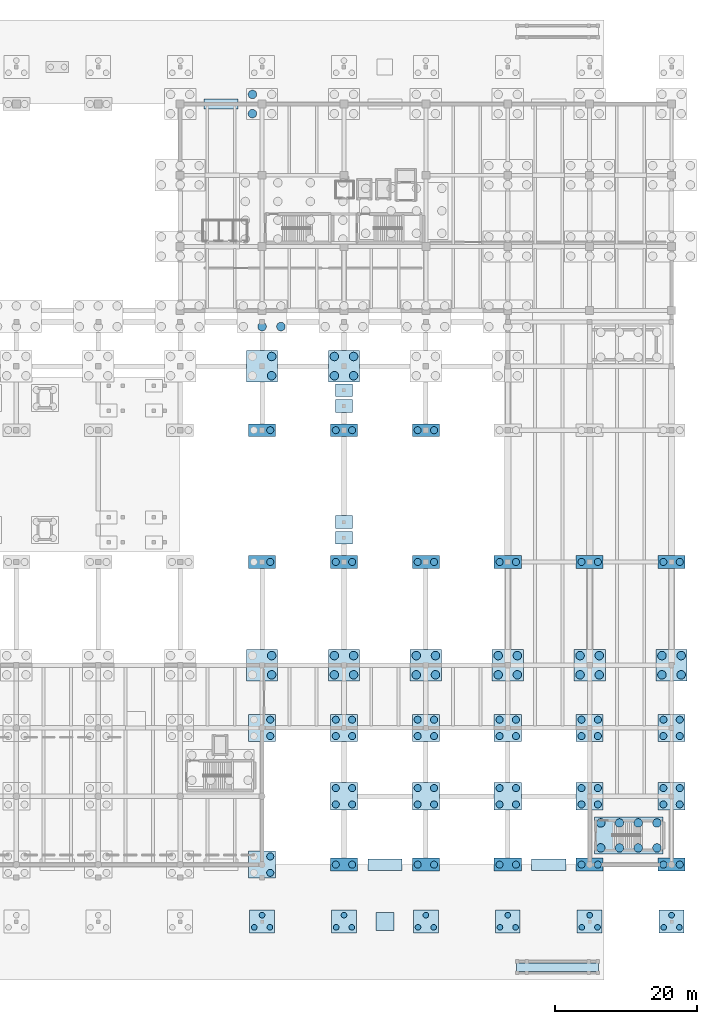
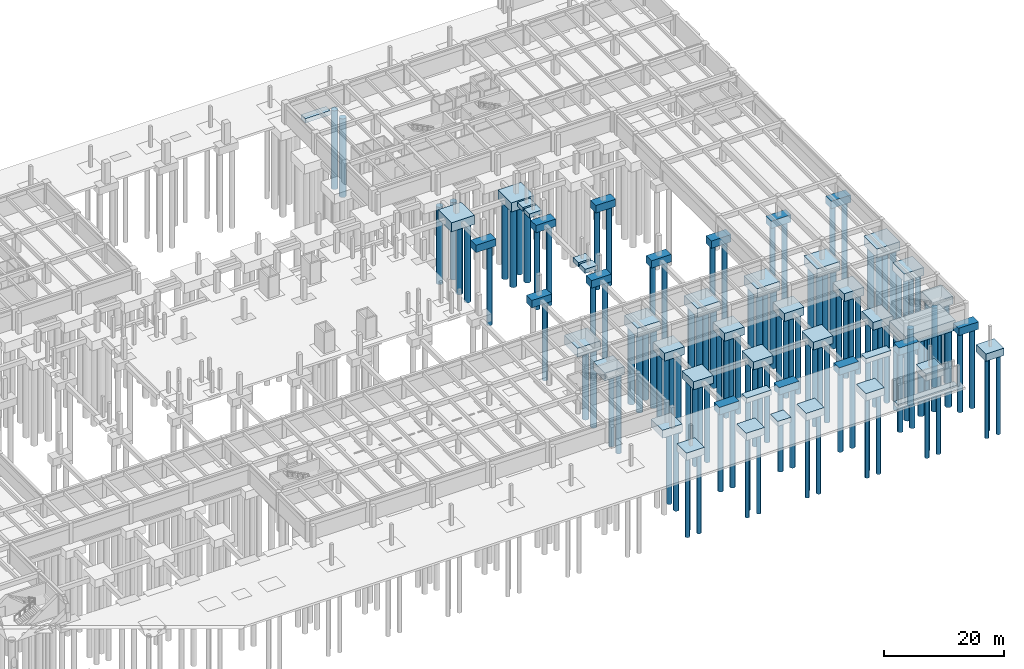
# One storey, part 5 of 28: 128 piles, 50 footings.
"""IFC4 building model written with IfcOpenShell, lengths in metres."""

import ifcopenshell
import ifcopenshell.guid

model = None  # the IFC model being written
_history = None  # IfcOwnerHistory: only IFC2X3 demands one
_inside = {}  # id of a spatial element -> (the spatial element, [elements in it])
_under = {}  # id of a project, library or spatial element -> (it, [spatial elements below it])
_declared = {}  # id of a project -> (the project, [libraries it declares])
_typed = {}  # id of a type object -> (the type object, [elements of that type])
_made_of = {}  # id of a material, layer set ... -> (it, [elements and type objects made of it])


def new_model(schema):
    """Start an empty IFC model of exactly this schema.

    Asked for "IFC4X3", IfcOpenShell would pick the latest addendum, in which some entities
    have other attributes; the version numbers below select the first issue.
    IFC2X3 requires an IfcOwnerHistory on every rooted entity: one is made here for all.
    """
    global model, _history
    if schema == "IFC4X3":
        model = ifcopenshell.file(schema_version=(4, 3, 0, 0))
    else:
        model = ifcopenshell.file(schema=schema)
    _inside.clear()
    _under.clear()
    _declared.clear()
    _typed.clear()
    _made_of.clear()
    _history = None
    if model.schema == "IFC2X3":
        org = make("IfcOrganization", Name="unknown")
        user = make(
            "IfcPersonAndOrganization",
            ThePerson=make("IfcPerson", FamilyName="unknown"),
            TheOrganization=org,
        )
        app = make(
            "IfcApplication",
            ApplicationDeveloper=org,
            Version="unknown",
            ApplicationFullName="unknown",
            ApplicationIdentifier="unknown",
        )
        _history = make(
            "IfcOwnerHistory",
            OwningUser=user,
            OwningApplication=app,
            ChangeAction="ADDED",
            CreationDate=0,
        )
    return model


def make(cls, **values):
    """One entity of the class cls with the attributes given. An attribute that is None is left unset."""
    return model.create_entity(
        cls, **{name: value for name, value in values.items() if value is not None}
    )


def rooted(cls, **values):
    """An entity with a GlobalId (a new one), such as an element, a storey or a relation."""
    return make(cls, GlobalId=ifcopenshell.guid.new(), OwnerHistory=_history, **values)


def si_unit(unit_type, name, prefix=None):
    """IfcSIUnit, for example si_unit("LENGTHUNIT", "METRE", prefix="MILLI")."""
    return make("IfcSIUnit", UnitType=unit_type, Prefix=prefix, Name=name)


def assignment(units):
    """IfcUnitAssignment: the units of a project."""
    return None if units is None else make("IfcUnitAssignment", Units=units)


def point(xyz):
    """IfcCartesianPoint."""
    return None if xyz is None else make("IfcCartesianPoint", Coordinates=xyz)


def direction(xyz):
    """IfcDirection."""
    return None if xyz is None else make("IfcDirection", DirectionRatios=xyz)


def frame(location, z_axis=None, x_axis=None):
    """IfcAxis2Placement3D, a coordinate frame: its origin and axes. An axis left out is left unset."""
    return make(
        "IfcAxis2Placement3D",
        Location=point(location),
        Axis=direction(z_axis),
        RefDirection=direction(x_axis),
    )


def frame_2d(location, x_axis=None):
    """IfcAxis2Placement2D, a coordinate frame in the plane: its origin and x axis."""
    return make(
        "IfcAxis2Placement2D", Location=point(location), RefDirection=direction(x_axis)
    )


def origin():
    """The frame at (0, 0, 0) with its axes left unset."""
    return frame((0.0, 0.0, 0.0))


def origin_2d():
    """The frame at (0, 0) in the plane with its x axis left unset."""
    return frame_2d((0.0, 0.0))


def place(relative_to, where):
    """IfcLocalPlacement: puts the frame where relative to a parent placement (None: the world)."""
    return make(
        "IfcLocalPlacement", PlacementRelTo=relative_to, RelativePlacement=where
    )


def context(
    kind, dimensions, precision=None, world=None, true_north=None, identifier=None
):
    """IfcGeometricRepresentationContext, for example the 3D "Model" context."""
    return make(
        "IfcGeometricRepresentationContext",
        ContextIdentifier=identifier,
        ContextType=kind,
        CoordinateSpaceDimension=dimensions,
        Precision=precision,
        WorldCoordinateSystem=world,
        TrueNorth=true_north,
    )


def subcontext(parent, identifier, kind, view, scale=None):
    """IfcGeometricRepresentationSubContext, for example "Body" below "Model"."""
    return make(
        "IfcGeometricRepresentationSubContext",
        ContextIdentifier=identifier,
        ContextType=kind,
        ParentContext=parent,
        TargetScale=scale,
        TargetView=view,
    )


def project(units=None, contexts=None):
    """IfcProject with its units and contexts."""
    return rooted(
        "IfcProject",
        Name="project",
        RepresentationContexts=contexts,
        UnitsInContext=assignment(units),
    )


def spatial(cls, under=None, at=None, **own):
    """A site, building, storey or space (cls), placed at a placement, below another one or the project."""
    s = rooted(cls, ObjectPlacement=at, **own)
    if under is not None:
        _under.setdefault(under.id(), (under, []))[1].append(s)
    return s


def profile(cls, at=None, kind="AREA", **sizes):
    """A parametric profile (cls). Its sizes go by their IFC names, for example OverallWidth=200.0."""
    return make(cls, ProfileType=kind, Position=at, **sizes)


def rectangle(**sizes):
    """IfcRectangleProfileDef."""
    return profile("IfcRectangleProfileDef", **sizes)


def circle(**sizes):
    """IfcCircleProfileDef."""
    return profile("IfcCircleProfileDef", **sizes)


def extrude(swept, where, along, depth):
    """IfcExtrudedAreaSolid: the profile swept, set in the frame where, extruded along a direction by depth."""
    return make(
        "IfcExtrudedAreaSolid",
        SweptArea=swept,
        Position=where,
        ExtrudedDirection=direction(along),
        Depth=depth,
    )


def shape(context_of_items, identifier, shape_type, items):
    """IfcShapeRepresentation: the items that make up one representation, for example the "Body"."""
    return make(
        "IfcShapeRepresentation",
        ContextOfItems=context_of_items,
        RepresentationIdentifier=identifier,
        RepresentationType=shape_type,
        Items=items,
    )


def material(Name=None, Category=None):
    """IfcMaterial."""
    return make("IfcMaterial", Name=Name, Category=Category)


def material_profile(
    of_material, cross_section, Name=None, Category=None, Priority=None
):
    """IfcMaterialProfile: a cross section and its material."""
    return make(
        "IfcMaterialProfile",
        Name=Name,
        Material=of_material,
        Profile=cross_section,
        Priority=Priority,
        Category=Category,
    )


def profile_set(profiles, Name=None, composite=None):
    """IfcMaterialProfileSet."""
    return make(
        "IfcMaterialProfileSet",
        Name=Name,
        MaterialProfiles=profiles,
        CompositeProfile=composite,
    )


def made_of(thing, what):
    """Note that an element or type object is made of a material, layer set ...; save() writes the relation."""
    if what is not None:
        _made_of.setdefault(what.id(), (what, []))[1].append(thing)
    return thing


def type_object(cls, material=None, **own):
    """A type object (cls), such as IfcWallType, which elements share."""
    return made_of(rooted(cls, **own), material)


def element(
    cls,
    number,
    at=None,
    inside=None,
    cuts=None,
    type_object=None,
    material=None,
    context=None,
    identifier="Body",
    shape_type=None,
    held_by="IfcProductDefinitionShape",
    body=None,
    shapes=None,
    **own,
):
    """One element of the class cls, such as IfcWall. Its Tag is "e" and its number.

    at: its placement. inside: the storey or other place that contains it. cuts: it is an
    opening in that element (IfcRelVoidsElement). A single representation is given by context,
    identifier, shape_type and body (its items); several are given by shapes. held_by: the class
    of the entity that holds the representations. save() writes the other relations.
    """
    e = rooted(cls, Tag="e%d" % number, ObjectPlacement=at, **own)
    if body is not None:
        shapes = [shape(context, identifier, shape_type, body)]
    if shapes is not None:
        e.Representation = make(held_by, Representations=shapes)
    if inside is not None:
        _inside.setdefault(inside.id(), (inside, []))[1].append(e)
    if cuts is not None:
        rooted(
            "IfcRelVoidsElement", RelatingBuildingElement=cuts, RelatedOpeningElement=e
        )
    if type_object is not None:
        _typed.setdefault(type_object.id(), (type_object, []))[1].append(e)
    return made_of(e, material)


def aggregate(whole, parts):
    """IfcRelAggregates: a whole, such as a stair, and the parts it consists of."""
    return rooted("IfcRelAggregates", RelatingObject=whole, RelatedObjects=parts)


def save(model, path):
    """Write the relations noted so far, then the file.

    IfcRelAggregates (storeys below a building ...), IfcRelContainedInSpatialStructure (elements
    in a storey), IfcRelDefinesByType, IfcRelAssociatesMaterial and IfcRelDeclares: one each for
    every whole, place, type object, material and project.
    """
    for whole, parts in _under.values():
        aggregate(whole, parts)
    for where, things in _inside.values():
        rooted(
            "IfcRelContainedInSpatialStructure",
            RelatedElements=things,
            RelatingStructure=where,
        )
    for kind, things in _typed.values():
        rooted("IfcRelDefinesByType", RelatedObjects=things, RelatingType=kind)
    for what, things in _made_of.values():
        rooted("IfcRelAssociatesMaterial", RelatedObjects=things, RelatingMaterial=what)
    for by, libraries in _declared.values():
        rooted("IfcRelDeclares", RelatingContext=by, RelatedDefinitions=libraries)
    model.write(path)


model = new_model("IFC4")

# Units and contexts
model_context = context("Model", 3, precision=1e-05, world=origin(), true_north=direction((0.0, 1.0)))
body_context = subcontext(model_context, "Body", "Model", "MODEL_VIEW")
ifc_project = project(units=[si_unit("LENGTHUNIT", "METRE"), si_unit("AREAUNIT", "SQUARE_METRE"), si_unit("VOLUMEUNIT", "CUBIC_METRE"), si_unit("PLANEANGLEUNIT", "RADIAN"), si_unit("MASSUNIT", "GRAM", prefix="KILO")], contexts=[model_context])

# Site, building, storey
site_placement = place(None, origin())
site = spatial("IfcSite", under=ifc_project, at=site_placement, CompositionType="ELEMENT")
building_placement = place(site_placement, origin())
building = spatial("IfcBuilding", under=site, at=building_placement, Name="Ologun Quay Terminus", CompositionType="ELEMENT")
storey_placement = place(building_placement, frame((0.0, 0.0, -8.39990234375)))
storey = spatial("IfcBuildingStorey", under=building, at=storey_placement, Name="B02", CompositionType="ELEMENT", Elevation=-8.39990234375)

# Footings
ifc_material_1 = material(Name="Concrete C35/45", Category="concrete")
footing_type_1 = type_object("IfcFootingType", Name="Basement Retaining Strip Footing 1600x1000", PredefinedType="STRIP_FOOTING", material=ifc_material_1)
for number, where, z_axis, x_axis, name in (
    (1, (143.75, 8.0, -1.0), (0.0, 0.0, 1.0), (1.0, 0.0, 0.0), "SF3 Strip Footing Bay 13"),
    (2, (166.75, 8.0, -1.0), (0.0, 0.0, 1.0), (1.0, 0.0, 0.0), "SF3 Strip Footing Bay 15"),
):
    element("IfcFooting", number, at=place(storey_placement, frame(where, z_axis=z_axis, x_axis=x_axis)), inside=storey, type_object=footing_type_1, Name=name, PredefinedType="STRIP_FOOTING", context=body_context, shape_type="SweptSolid", body=[
        extrude(rectangle(XDim=4.800048828125, YDim=1.60009765625, at=origin_2d()), origin(), (0.0, 0.0, 1.0), 1.0),
    ])

# Piles
ifc_material_2 = material(Name="Concrete C35/45", Category="concrete")
ifc_material_profile_1 = material_profile(ifc_material_2, circle(Radius=0.5, at=origin_2d()), Name="PILE D1000")
ifc_profile_set_1 = profile_set([ifc_material_profile_1], Name="Concrete C35/45")
pile_type_1 = type_object("IfcPileType", Name="Bored Concrete Pile D1000", PredefinedType="BORED", material=ifc_profile_set_1)
for number, where, z_axis, x_axis, name in (
    (3, (127.64990234375, 6.85009765625, -1.5), (0.0, 0.0, -1.0), (1.0, 0.0, 0.0), "P2 Pile FND-12-B-02"),
    (4, (127.64990234375, 9.14990234375, -1.5), (0.0, 0.0, -1.0), (1.0, 0.0, 0.0), "P2 Pile FND-12-B-04"),
    (5, (127.64990234375, 26.050048828125, -1.5), (0.0, 0.0, -1.0), (1.0, 0.0, 0.0), "P2 Pile FND-12-D-02"),
    (6, (127.64990234375, 28.35009765625, -1.5), (0.0, 0.0, -1.0), (1.0, 0.0, 0.0), "P2 Pile FND-12-D-04"),
):
    element("IfcPile", number, at=place(storey_placement, frame(where, z_axis=z_axis, x_axis=x_axis)), inside=storey, type_object=pile_type_1, Name=name, PredefinedType="BORED", context=body_context, shape_type="SweptSolid", body=[
        extrude(circle(Radius=0.5, at=origin_2d()), origin(), (0.0, 0.0, 1.0), 16.10009765625),
    ])
for number, where, z_axis, x_axis, name in (
    (7, (127.64990234375, 50.5, -1.400146484375), (0.0, 0.0, -1.0), (1.0, 0.0, 0.0), "P2 Pile FND-SUB-12-Y50-02"),
    (8, (127.64990234375, 69.0, -1.400146484375), (0.0, 0.0, -1.0), (1.0, 0.0, 0.0), "P2 Pile FND-SUB-12-Y69-02"),
    (9, (136.85009765625, 8.0, -1.400146484375), (0.0, 0.0, -1.0), (1.0, 0.0, 0.0), "P2 Pile FND-13-B-01"),
    (10, (139.14990234375, 8.0, -1.400146484375), (0.0, 0.0, -1.0), (1.0, 0.0, 0.0), "P2 Pile FND-13-B-02"),
):
    element("IfcPile", number, at=place(storey_placement, frame(where, z_axis=z_axis, x_axis=x_axis)), inside=storey, type_object=pile_type_1, Name=name, PredefinedType="BORED", context=body_context, shape_type="SweptSolid", body=[
        extrude(circle(Radius=0.5, at=origin_2d()), origin(), (0.0, 0.0, 1.0), 16.199951171875),
    ])
for number, where, z_axis, x_axis, name in (
    (11, (136.85009765625, 16.449951171875, -1.5), (0.0, 0.0, -1.0), (1.0, 0.0, 0.0), "P2 Pile FND-13-C-01"),
    (12, (139.14990234375, 16.449951171875, -1.5), (0.0, 0.0, -1.0), (1.0, 0.0, 0.0), "P2 Pile FND-13-C-02"),
    (13, (136.85009765625, 18.75, -1.5), (0.0, 0.0, -1.0), (1.0, 0.0, 0.0), "P2 Pile FND-13-C-03"),
    (14, (139.14990234375, 18.75, -1.5), (0.0, 0.0, -1.0), (1.0, 0.0, 0.0), "P2 Pile FND-13-C-04"),
    (15, (136.85009765625, 26.050048828125, -1.5), (0.0, 0.0, -1.0), (1.0, 0.0, 0.0), "P2 Pile FND-13-D-01"),
    (16, (139.14990234375, 26.050048828125, -1.5), (0.0, 0.0, -1.0), (1.0, 0.0, 0.0), "P2 Pile FND-13-D-02"),
    (17, (136.85009765625, 28.35009765625, -1.5), (0.0, 0.0, -1.0), (1.0, 0.0, 0.0), "P2 Pile FND-13-D-03"),
    (18, (139.14990234375, 28.35009765625, -1.5), (0.0, 0.0, -1.0), (1.0, 0.0, 0.0), "P2 Pile FND-13-D-04"),
):
    element("IfcPile", number, at=place(storey_placement, frame(where, z_axis=z_axis, x_axis=x_axis)), inside=storey, type_object=pile_type_1, Name=name, PredefinedType="BORED", context=body_context, shape_type="SweptSolid", body=[
        extrude(circle(Radius=0.5, at=origin_2d()), origin(), (0.0, 0.0, 1.0), 16.10009765625),
    ])
for number, where, z_axis, x_axis, name in (
    (19, (136.85009765625, 50.5, -1.400146484375), (0.0, 0.0, -1.0), (1.0, 0.0, 0.0), "P2 Pile FND-SUB-13-Y50-01"),
    (20, (139.14990234375, 50.5, -1.400146484375), (0.0, 0.0, -1.0), (1.0, 0.0, 0.0), "P2 Pile FND-SUB-13-Y50-02"),
    (21, (136.85009765625, 69.0, -1.400146484375), (0.0, 0.0, -1.0), (1.0, 0.0, 0.0), "P2 Pile FND-SUB-13-Y69-01"),
    (22, (139.14990234375, 69.0, -1.400146484375), (0.0, 0.0, -1.0), (1.0, 0.0, 0.0), "P2 Pile FND-SUB-13-Y69-02"),
    (23, (148.35009765625, 8.0, -1.400146484375), (0.0, 0.0, -1.0), (1.0, 0.0, 0.0), "P2 Pile FND-14-B-01"),
    (24, (150.64990234375, 8.0, -1.400146484375), (0.0, 0.0, -1.0), (1.0, 0.0, 0.0), "P2 Pile FND-14-B-02"),
):
    element("IfcPile", number, at=place(storey_placement, frame(where, z_axis=z_axis, x_axis=x_axis)), inside=storey, type_object=pile_type_1, Name=name, PredefinedType="BORED", context=body_context, shape_type="SweptSolid", body=[
        extrude(circle(Radius=0.5, at=origin_2d()), origin(), (0.0, 0.0, 1.0), 16.199951171875),
    ])
for number, where, z_axis, x_axis, name in (
    (25, (148.35009765625, 16.449951171875, -1.5), (0.0, 0.0, -1.0), (1.0, 0.0, 0.0), "P2 Pile FND-14-C-01"),
    (26, (150.64990234375, 16.449951171875, -1.5), (0.0, 0.0, -1.0), (1.0, 0.0, 0.0), "P2 Pile FND-14-C-02"),
    (27, (148.35009765625, 18.75, -1.5), (0.0, 0.0, -1.0), (1.0, 0.0, 0.0), "P2 Pile FND-14-C-03"),
    (28, (150.64990234375, 18.75, -1.5), (0.0, 0.0, -1.0), (1.0, 0.0, 0.0), "P2 Pile FND-14-C-04"),
    (29, (148.35009765625, 26.050048828125, -1.5), (0.0, 0.0, -1.0), (1.0, 0.0, 0.0), "P2 Pile FND-14-D-01"),
    (30, (150.64990234375, 26.050048828125, -1.5), (0.0, 0.0, -1.0), (1.0, 0.0, 0.0), "P2 Pile FND-14-D-02"),
    (31, (148.35009765625, 28.35009765625, -1.5), (0.0, 0.0, -1.0), (1.0, 0.0, 0.0), "P2 Pile FND-14-D-03"),
    (32, (150.64990234375, 28.35009765625, -1.5), (0.0, 0.0, -1.0), (1.0, 0.0, 0.0), "P2 Pile FND-14-D-04"),
):
    element("IfcPile", number, at=place(storey_placement, frame(where, z_axis=z_axis, x_axis=x_axis)), inside=storey, type_object=pile_type_1, Name=name, PredefinedType="BORED", context=body_context, shape_type="SweptSolid", body=[
        extrude(circle(Radius=0.5, at=origin_2d()), origin(), (0.0, 0.0, 1.0), 16.10009765625),
    ])
for number, where, z_axis, x_axis, name in (
    (33, (148.35009765625, 50.5, -1.400146484375), (0.0, 0.0, -1.0), (1.0, 0.0, 0.0), "P2 Pile FND-SUB-14-Y50-01"),
    (34, (150.64990234375, 50.5, -1.400146484375), (0.0, 0.0, -1.0), (1.0, 0.0, 0.0), "P2 Pile FND-SUB-14-Y50-02"),
    (35, (148.35009765625, 69.0, -1.400146484375), (0.0, 0.0, -1.0), (1.0, 0.0, 0.0), "P2 Pile FND-SUB-14-Y69-01"),
    (36, (150.64990234375, 69.0, -1.400146484375), (0.0, 0.0, -1.0), (1.0, 0.0, 0.0), "P2 Pile FND-SUB-14-Y69-02"),
    (37, (159.85009765625, 8.0, -1.400146484375), (0.0, 0.0, -1.0), (1.0, 0.0, 0.0), "P2 Pile FND-15-B-01"),
    (38, (162.14990234375, 8.0, -1.400146484375), (0.0, 0.0, -1.0), (1.0, 0.0, 0.0), "P2 Pile FND-15-B-02"),
):
    element("IfcPile", number, at=place(storey_placement, frame(where, z_axis=z_axis, x_axis=x_axis)), inside=storey, type_object=pile_type_1, Name=name, PredefinedType="BORED", context=body_context, shape_type="SweptSolid", body=[
        extrude(circle(Radius=0.5, at=origin_2d()), origin(), (0.0, 0.0, 1.0), 16.199951171875),
    ])
for number, where, z_axis, x_axis, name in (
    (39, (159.85009765625, 16.449951171875, -1.5), (0.0, 0.0, -1.0), (1.0, 0.0, 0.0), "P2 Pile FND-15-C-01"),
    (40, (162.14990234375, 16.449951171875, -1.5), (0.0, 0.0, -1.0), (1.0, 0.0, 0.0), "P2 Pile FND-15-C-02"),
    (41, (159.85009765625, 18.75, -1.5), (0.0, 0.0, -1.0), (1.0, 0.0, 0.0), "P2 Pile FND-15-C-03"),
    (42, (162.14990234375, 18.75, -1.5), (0.0, 0.0, -1.0), (1.0, 0.0, 0.0), "P2 Pile FND-15-C-04"),
    (43, (159.85009765625, 26.050048828125, -1.5), (0.0, 0.0, -1.0), (1.0, 0.0, 0.0), "P2 Pile FND-15-D-01"),
    (44, (162.14990234375, 26.050048828125, -1.5), (0.0, 0.0, -1.0), (1.0, 0.0, 0.0), "P2 Pile FND-15-D-02"),
    (45, (159.85009765625, 28.35009765625, -1.5), (0.0, 0.0, -1.0), (1.0, 0.0, 0.0), "P2 Pile FND-15-D-03"),
    (46, (162.14990234375, 28.35009765625, -1.5), (0.0, 0.0, -1.0), (1.0, 0.0, 0.0), "P2 Pile FND-15-D-04"),
):
    element("IfcPile", number, at=place(storey_placement, frame(where, z_axis=z_axis, x_axis=x_axis)), inside=storey, type_object=pile_type_1, Name=name, PredefinedType="BORED", context=body_context, shape_type="SweptSolid", body=[
        extrude(circle(Radius=0.5, at=origin_2d()), origin(), (0.0, 0.0, 1.0), 16.10009765625),
    ])
for number, where, z_axis, x_axis, name in (
    (47, (159.85009765625, 50.5, -1.400146484375), (0.0, 0.0, -1.0), (1.0, 0.0, 0.0), "P2 Pile FND-SUB-15-Y50-01"),
    (48, (162.14990234375, 50.5, -1.400146484375), (0.0, 0.0, -1.0), (1.0, 0.0, 0.0), "P2 Pile FND-SUB-15-Y50-02"),
    (49, (171.35009765625, 8.0, -1.400146484375), (0.0, 0.0, -1.0), (1.0, 0.0, 0.0), "P2 Pile FND-16-B-01"),
    (50, (173.64990234375, 8.0, -1.400146484375), (0.0, 0.0, -1.0), (1.0, 0.0, 0.0), "P2 Pile FND-16-B-02"),
):
    element("IfcPile", number, at=place(storey_placement, frame(where, z_axis=z_axis, x_axis=x_axis)), inside=storey, type_object=pile_type_1, Name=name, PredefinedType="BORED", context=body_context, shape_type="SweptSolid", body=[
        extrude(circle(Radius=0.5, at=origin_2d()), origin(), (0.0, 0.0, 1.0), 16.199951171875),
    ])
for number, where, z_axis, x_axis, name in (
    (51, (171.35009765625, 16.449951171875, -1.5), (0.0, 0.0, -1.0), (1.0, 0.0, 0.0), "P2 Pile FND-16-C-01"),
    (52, (173.64990234375, 16.449951171875, -1.5), (0.0, 0.0, -1.0), (1.0, 0.0, 0.0), "P2 Pile FND-16-C-02"),
    (53, (171.35009765625, 18.75, -1.5), (0.0, 0.0, -1.0), (1.0, 0.0, 0.0), "P2 Pile FND-16-C-03"),
    (54, (173.64990234375, 18.75, -1.5), (0.0, 0.0, -1.0), (1.0, 0.0, 0.0), "P2 Pile FND-16-C-04"),
    (55, (171.35009765625, 26.050048828125, -1.5), (0.0, 0.0, -1.0), (1.0, 0.0, 0.0), "P2 Pile FND-16-D-01"),
    (56, (173.64990234375, 26.050048828125, -1.5), (0.0, 0.0, -1.0), (1.0, 0.0, 0.0), "P2 Pile FND-16-D-02"),
    (57, (171.35009765625, 28.35009765625, -1.5), (0.0, 0.0, -1.0), (1.0, 0.0, 0.0), "P2 Pile FND-16-D-03"),
    (58, (173.64990234375, 28.35009765625, -1.5), (0.0, 0.0, -1.0), (1.0, 0.0, 0.0), "P2 Pile FND-16-D-04"),
):
    element("IfcPile", number, at=place(storey_placement, frame(where, z_axis=z_axis, x_axis=x_axis)), inside=storey, type_object=pile_type_1, Name=name, PredefinedType="BORED", context=body_context, shape_type="SweptSolid", body=[
        extrude(circle(Radius=0.5, at=origin_2d()), origin(), (0.0, 0.0, 1.0), 16.10009765625),
    ])
for number, where, z_axis, x_axis, name in (
    (59, (171.35009765625, 50.5, -1.400146484375), (0.0, 0.0, -1.0), (1.0, 0.0, 0.0), "P2 Pile FND-SUB-16-Y50-01"),
    (60, (173.64990234375, 50.5, -1.400146484375), (0.0, 0.0, -1.0), (1.0, 0.0, 0.0), "P2 Pile FND-SUB-16-Y50-02"),
    (61, (182.85009765625, 8.0, -1.400146484375), (0.0, 0.0, -1.0), (1.0, 0.0, 0.0), "P2 Pile FND-17-B-01"),
    (62, (185.14990234375, 8.0, -1.400146484375), (0.0, 0.0, -1.0), (1.0, 0.0, 0.0), "P2 Pile FND-17-B-02"),
):
    element("IfcPile", number, at=place(storey_placement, frame(where, z_axis=z_axis, x_axis=x_axis)), inside=storey, type_object=pile_type_1, Name=name, PredefinedType="BORED", context=body_context, shape_type="SweptSolid", body=[
        extrude(circle(Radius=0.5, at=origin_2d()), origin(), (0.0, 0.0, 1.0), 16.199951171875),
    ])
for number, where, z_axis, x_axis, name in (
    (63, (182.85009765625, 16.449951171875, -1.5), (0.0, 0.0, -1.0), (1.0, 0.0, 0.0), "P2 Pile FND-17-C-01"),
    (64, (185.14990234375, 16.449951171875, -1.5), (0.0, 0.0, -1.0), (1.0, 0.0, 0.0), "P2 Pile FND-17-C-02"),
    (65, (182.85009765625, 18.75, -1.5), (0.0, 0.0, -1.0), (1.0, 0.0, 0.0), "P2 Pile FND-17-C-03"),
    (66, (185.14990234375, 18.75, -1.5), (0.0, 0.0, -1.0), (1.0, 0.0, 0.0), "P2 Pile FND-17-C-04"),
    (67, (182.85009765625, 26.050048828125, -1.5), (0.0, 0.0, -1.0), (1.0, 0.0, 0.0), "P2 Pile FND-17-D-01"),
    (68, (185.14990234375, 26.050048828125, -1.5), (0.0, 0.0, -1.0), (1.0, 0.0, 0.0), "P2 Pile FND-17-D-02"),
    (69, (182.85009765625, 28.35009765625, -1.5), (0.0, 0.0, -1.0), (1.0, 0.0, 0.0), "P2 Pile FND-17-D-03"),
    (70, (185.14990234375, 28.35009765625, -1.5), (0.0, 0.0, -1.0), (1.0, 0.0, 0.0), "P2 Pile FND-17-D-04"),
):
    element("IfcPile", number, at=place(storey_placement, frame(where, z_axis=z_axis, x_axis=x_axis)), inside=storey, type_object=pile_type_1, Name=name, PredefinedType="BORED", context=body_context, shape_type="SweptSolid", body=[
        extrude(circle(Radius=0.5, at=origin_2d()), origin(), (0.0, 0.0, 1.0), 16.10009765625),
    ])
for number, where, z_axis, x_axis, name in (
    (71, (182.85009765625, 50.5, -1.400146484375), (0.0, 0.0, -1.0), (1.0, 0.0, 0.0), "P2 Pile FND-SUB-17-Y50-01"),
    (72, (185.14990234375, 50.5, -1.400146484375), (0.0, 0.0, -1.0), (1.0, 0.0, 0.0), "P2 Pile FND-SUB-17-Y50-02"),
):
    element("IfcPile", number, at=place(storey_placement, frame(where, z_axis=z_axis, x_axis=x_axis)), inside=storey, type_object=pile_type_1, Name=name, PredefinedType="BORED", context=body_context, shape_type="SweptSolid", body=[
        extrude(circle(Radius=0.5, at=origin_2d()), origin(), (0.0, 0.0, 1.0), 16.199951171875),
    ])
ifc_material_3 = material(Name="Concrete C35/45", Category="concrete")
ifc_material_profile_2 = material_profile(ifc_material_3, circle(Radius=0.60009765625, at=origin_2d()), Name="PILE D1200")
ifc_profile_set_2 = profile_set([ifc_material_profile_2], Name="Concrete C35/45")
pile_type_2 = type_object("IfcPileType", Name="Bored Concrete Pile D1200", PredefinedType="BORED", material=ifc_profile_set_2)
for number, where, z_axis, x_axis, name in (
    (73, (174.050048828125, 10.35009765625, -2.0), (0.0, 0.0, -1.0), (1.0, 0.0, 0.0), "P1 Pile FND-SCAP-2-01"),
    (74, (176.683349609375, 10.35009765625, -2.0), (0.0, 0.0, -1.0), (1.0, 0.0, 0.0), "P1 Pile FND-SCAP-2-02"),
    (75, (179.316650390625, 10.35009765625, -2.0), (0.0, 0.0, -1.0), (1.0, 0.0, 0.0), "P1 Pile FND-SCAP-2-03"),
    (76, (181.949951171875, 10.35009765625, -2.0), (0.0, 0.0, -1.0), (1.0, 0.0, 0.0), "P1 Pile FND-SCAP-2-04"),
    (77, (174.050048828125, 13.85009765625, -2.0), (0.0, 0.0, -1.0), (1.0, 0.0, 0.0), "P1 Pile FND-SCAP-2-05"),
    (78, (176.683349609375, 13.85009765625, -2.0), (0.0, 0.0, -1.0), (1.0, 0.0, 0.0), "P1 Pile FND-SCAP-2-06"),
    (79, (179.316650390625, 13.85009765625, -2.0), (0.0, 0.0, -1.0), (1.0, 0.0, 0.0), "P1 Pile FND-SCAP-2-07"),
    (80, (181.949951171875, 13.85009765625, -2.0), (0.0, 0.0, -1.0), (1.0, 0.0, 0.0), "P1 Pile FND-SCAP-2-08"),
):
    element("IfcPile", number, at=place(storey_placement, frame(where, z_axis=z_axis, x_axis=x_axis)), inside=storey, type_object=pile_type_2, Name=name, PredefinedType="BORED", context=body_context, shape_type="SweptSolid", body=[
        extrude(circle(Radius=0.60009765625, at=origin_2d()), origin(), (0.0, 0.0, 1.0), 15.60009765625),
    ])
for number, where, z_axis, x_axis, name in (
    (81, (126.5, 83.550048828125, -1.900146484375), (0.0, 0.0, -1.0), (1.0, 0.0, 0.0), "P1 Pile FND-MJ-12-02"),
    (82, (129.14990234375, 83.550048828125, -1.900146484375), (0.0, 0.0, -1.0), (1.0, 0.0, 0.0), "P1 Pile FND-MJ-12-03"),
):
    element("IfcPile", number, at=place(storey_placement, frame(where, z_axis=z_axis, x_axis=x_axis)), inside=storey, type_object=pile_type_2, Name=name, PredefinedType="BORED", context=body_context, shape_type="SweptSolid", body=[
        extrude(circle(Radius=0.60009765625, at=origin_2d()), origin(), (0.0, 0.0, 1.0), 15.699951171875),
    ])
for number, where, z_axis, x_axis, name in (
    (83, (127.85009765625, 34.64990234375, -1.75), (0.0, 0.0, -1.0), (1.0, 0.0, 0.0), "P1 Pile FND-12-E-02"),
    (84, (127.85009765625, 37.35009765625, -1.75), (0.0, 0.0, -1.0), (1.0, 0.0, 0.0), "P1 Pile FND-12-E-04"),
    (85, (127.85009765625, 76.64990234375, -1.75), (0.0, 0.0, -1.0), (1.0, 0.0, 0.0), "P1 Pile FND-12-F-02"),
    (86, (127.85009765625, 79.35009765625, -1.75), (0.0, 0.0, -1.0), (1.0, 0.0, 0.0), "P1 Pile FND-12-F-04"),
):
    element("IfcPile", number, at=place(storey_placement, frame(where, z_axis=z_axis, x_axis=x_axis)), inside=storey, type_object=pile_type_2, Name=name, PredefinedType="BORED", context=body_context, shape_type="SweptSolid", body=[
        extrude(circle(Radius=0.60009765625, at=origin_2d()), origin(), (0.0, 0.0, 1.0), 15.85009765625),
    ])
for number, where, z_axis, x_axis, name in (
    (87, (125.14990234375, 113.449951171875, -1.60009765625), (0.0, 0.0, -1.0), (1.0, 0.0, 0.0), "P1 Pile FND-12-K-01"),
    (88, (125.14990234375, 116.14990234375, -1.60009765625), (0.0, 0.0, -1.0), (1.0, 0.0, 0.0), "P1 Pile FND-12-K-03"),
):
    element("IfcPile", number, at=place(storey_placement, frame(where, z_axis=z_axis, x_axis=x_axis)), inside=storey, type_object=pile_type_2, Name=name, PredefinedType="BORED", context=body_context, shape_type="SweptSolid", body=[
        extrude(circle(Radius=0.60009765625, at=origin_2d()), origin(), (0.0, 0.0, 1.0), 16.0),
    ])
for number, where, z_axis, x_axis, name in (
    (89, (136.64990234375, 34.64990234375, -1.75), (0.0, 0.0, -1.0), (1.0, 0.0, 0.0), "P1 Pile FND-13-E-01"),
    (90, (139.35009765625, 34.64990234375, -1.75), (0.0, 0.0, -1.0), (1.0, 0.0, 0.0), "P1 Pile FND-13-E-02"),
    (91, (136.64990234375, 37.35009765625, -1.75), (0.0, 0.0, -1.0), (1.0, 0.0, 0.0), "P1 Pile FND-13-E-03"),
    (92, (139.35009765625, 37.35009765625, -1.75), (0.0, 0.0, -1.0), (1.0, 0.0, 0.0), "P1 Pile FND-13-E-04"),
    (93, (136.64990234375, 76.64990234375, -1.75), (0.0, 0.0, -1.0), (1.0, 0.0, 0.0), "P1 Pile FND-13-F-01"),
    (94, (139.35009765625, 76.64990234375, -1.75), (0.0, 0.0, -1.0), (1.0, 0.0, 0.0), "P1 Pile FND-13-F-02"),
    (95, (136.64990234375, 79.35009765625, -1.75), (0.0, 0.0, -1.0), (1.0, 0.0, 0.0), "P1 Pile FND-13-F-03"),
    (96, (139.35009765625, 79.35009765625, -1.75), (0.0, 0.0, -1.0), (1.0, 0.0, 0.0), "P1 Pile FND-13-F-04"),
    (97, (148.14990234375, 34.64990234375, -1.75), (0.0, 0.0, -1.0), (1.0, 0.0, 0.0), "P1 Pile FND-14-E-01"),
    (98, (150.85009765625, 34.64990234375, -1.75), (0.0, 0.0, -1.0), (1.0, 0.0, 0.0), "P1 Pile FND-14-E-02"),
    (99, (148.14990234375, 37.35009765625, -1.75), (0.0, 0.0, -1.0), (1.0, 0.0, 0.0), "P1 Pile FND-14-E-03"),
    (100, (150.85009765625, 37.35009765625, -1.75), (0.0, 0.0, -1.0), (1.0, 0.0, 0.0), "P1 Pile FND-14-E-04"),
    (101, (159.64990234375, 34.64990234375, -1.75), (0.0, 0.0, -1.0), (1.0, 0.0, 0.0), "P1 Pile FND-15-E-01"),
    (102, (162.35009765625, 34.64990234375, -1.75), (0.0, 0.0, -1.0), (1.0, 0.0, 0.0), "P1 Pile FND-15-E-02"),
    (103, (159.64990234375, 37.35009765625, -1.75), (0.0, 0.0, -1.0), (1.0, 0.0, 0.0), "P1 Pile FND-15-E-03"),
    (104, (162.35009765625, 37.35009765625, -1.75), (0.0, 0.0, -1.0), (1.0, 0.0, 0.0), "P1 Pile FND-15-E-04"),
    (105, (171.14990234375, 34.64990234375, -1.75), (0.0, 0.0, -1.0), (1.0, 0.0, 0.0), "P1 Pile FND-16-E-01"),
    (106, (173.85009765625, 34.64990234375, -1.75), (0.0, 0.0, -1.0), (1.0, 0.0, 0.0), "P1 Pile FND-16-E-02"),
    (107, (171.14990234375, 37.35009765625, -1.75), (0.0, 0.0, -1.0), (1.0, 0.0, 0.0), "P1 Pile FND-16-E-03"),
    (108, (173.85009765625, 37.35009765625, -1.75), (0.0, 0.0, -1.0), (1.0, 0.0, 0.0), "P1 Pile FND-16-E-04"),
    (109, (182.64990234375, 34.64990234375, -1.75), (0.0, 0.0, -1.0), (1.0, 0.0, 0.0), "P1 Pile FND-17-E-01"),
    (110, (185.35009765625, 34.64990234375, -1.75), (0.0, 0.0, -1.0), (1.0, 0.0, 0.0), "P1 Pile FND-17-E-02"),
    (111, (182.64990234375, 37.35009765625, -1.75), (0.0, 0.0, -1.0), (1.0, 0.0, 0.0), "P1 Pile FND-17-E-03"),
    (112, (185.35009765625, 37.35009765625, -1.75), (0.0, 0.0, -1.0), (1.0, 0.0, 0.0), "P1 Pile FND-17-E-04"),
):
    element("IfcPile", number, at=place(storey_placement, frame(where, z_axis=z_axis, x_axis=x_axis)), inside=storey, type_object=pile_type_2, Name=name, PredefinedType="BORED", context=body_context, shape_type="SweptSolid", body=[
        extrude(circle(Radius=0.60009765625, at=origin_2d()), origin(), (0.0, 0.0, 1.0), 15.85009765625),
    ])
ifc_material_4 = material(Name="Concrete C35/45", Category="concrete")
ifc_material_profile_3 = material_profile(ifc_material_4, circle(Radius=0.39990234375, at=origin_2d()), Name="PILE D800")
ifc_profile_set_3 = profile_set([ifc_material_profile_3], Name="Concrete C35/45")
pile_type_3 = type_object("IfcPileType", Name="Bored Concrete Pile D800", PredefinedType="BORED", material=ifc_profile_set_3)
for number, where, z_axis, x_axis, name in (
    (113, (125.39990234375, -0.8076171875, -1.400146484375), (0.0, 0.0, -1.0), (1.0, 0.0, 0.0), "P3 Pile FND-12-A-01"),
    (114, (127.60009765625, -0.8076171875, -1.400146484375), (0.0, 0.0, -1.0), (1.0, 0.0, 0.0), "P3 Pile FND-12-A-02"),
    (115, (126.5, 0.902587890625, -1.400146484375), (0.0, 0.0, -1.0), (1.0, 0.0, 0.0), "P3 Pile FND-12-A-03"),
    (116, (136.89990234375, -0.8076171875, -1.400146484375), (0.0, 0.0, -1.0), (1.0, 0.0, 0.0), "P3 Pile FND-13-A-01"),
    (117, (139.10009765625, -0.8076171875, -1.400146484375), (0.0, 0.0, -1.0), (1.0, 0.0, 0.0), "P3 Pile FND-13-A-02"),
    (118, (138.0, 0.902587890625, -1.400146484375), (0.0, 0.0, -1.0), (1.0, 0.0, 0.0), "P3 Pile FND-13-A-03"),
    (119, (148.39990234375, -0.8076171875, -1.400146484375), (0.0, 0.0, -1.0), (1.0, 0.0, 0.0), "P3 Pile FND-14-A-01"),
    (120, (150.60009765625, -0.8076171875, -1.400146484375), (0.0, 0.0, -1.0), (1.0, 0.0, 0.0), "P3 Pile FND-14-A-02"),
    (121, (149.5, 0.902587890625, -1.400146484375), (0.0, 0.0, -1.0), (1.0, 0.0, 0.0), "P3 Pile FND-14-A-03"),
    (122, (159.89990234375, -0.8076171875, -1.400146484375), (0.0, 0.0, -1.0), (1.0, 0.0, 0.0), "P3 Pile FND-15-A-01"),
    (123, (162.10009765625, -0.8076171875, -1.400146484375), (0.0, 0.0, -1.0), (1.0, 0.0, 0.0), "P3 Pile FND-15-A-02"),
    (124, (161.0, 0.902587890625, -1.400146484375), (0.0, 0.0, -1.0), (1.0, 0.0, 0.0), "P3 Pile FND-15-A-03"),
    (125, (171.39990234375, -0.8076171875, -1.400146484375), (0.0, 0.0, -1.0), (1.0, 0.0, 0.0), "P3 Pile FND-16-A-01"),
    (126, (173.60009765625, -0.8076171875, -1.400146484375), (0.0, 0.0, -1.0), (1.0, 0.0, 0.0), "P3 Pile FND-16-A-02"),
    (127, (172.5, 0.902587890625, -1.400146484375), (0.0, 0.0, -1.0), (1.0, 0.0, 0.0), "P3 Pile FND-16-A-03"),
    (128, (182.89990234375, -0.8076171875, -1.400146484375), (0.0, 0.0, -1.0), (1.0, 0.0, 0.0), "P3 Pile FND-17-A-01"),
    (129, (185.10009765625, -0.8076171875, -1.400146484375), (0.0, 0.0, -1.0), (1.0, 0.0, 0.0), "P3 Pile FND-17-A-02"),
    (130, (184.0, 0.902587890625, -1.400146484375), (0.0, 0.0, -1.0), (1.0, 0.0, 0.0), "P3 Pile FND-17-A-03"),
):
    element("IfcPile", number, at=place(storey_placement, frame(where, z_axis=z_axis, x_axis=x_axis)), inside=storey, type_object=pile_type_3, Name=name, PredefinedType="BORED", context=body_context, shape_type="SweptSolid", body=[
        extrude(circle(Radius=0.39990234375, at=origin_2d()), origin(), (0.0, 0.0, 1.0), 16.199951171875),
    ])

# Footings
ifc_material_5 = material(Name="Concrete C35/45", Category="concrete")
footing_type_2 = type_object("IfcFootingType", Name="Eight-Pile Core Mat Cap 9600x5200x2100", PredefinedType="PILE_CAP", material=ifc_material_5)
footing_1_placement = place(storey_placement, frame((178.0, 12.10009765625, -2.10009765625), z_axis=(0.0, 0.0, 1.0), x_axis=(1.0, 0.0, 0.0)))
element("IfcFooting", 131, at=footing_1_placement, inside=storey, type_object=footing_type_2, Name="PC7 Footing 16/B", PredefinedType="PILE_CAP", context=body_context, shape_type="SweptSolid", body=[
    extrude(rectangle(XDim=9.60009765625, YDim=5.199951171875, at=origin_2d()), origin(), (0.0, 0.0, 1.0), 2.10009765625),
])
ifc_material_6 = material(Name="Concrete C35/45", Category="concrete")
footing_type_3 = type_object("IfcFootingType", Name="Forecourt Canopy Pad Footing 2500x2500x1000", PredefinedType="PAD_FOOTING", material=ifc_material_6)
footing_2_placement = place(storey_placement, frame((143.75, 0.0, -1.0), z_axis=(0.0, 0.0, 1.0), x_axis=(1.0, 0.0, 0.0)))
element("IfcFooting", 132, at=footing_2_placement, inside=storey, type_object=footing_type_3, Name="PF2 Footing 4/A", PredefinedType="PAD_FOOTING", context=body_context, shape_type="SweptSolid", body=[
    extrude(rectangle(XDim=2.5, YDim=2.5, at=origin_2d()), origin(), (0.0, 0.0, 1.0), 1.0),
])
ifc_material_7 = material(Name="Concrete C35/45", Category="concrete")
footing_type_4 = type_object("IfcFootingType", Name="Four-Pile Arch Thrust Cap 4400x4400x1850", PredefinedType="PILE_CAP", material=ifc_material_7)
for number, where, z_axis, x_axis, name in (
    (133, (126.5, 36.0, -1.85009765625), (0.0, 0.0, 1.0), (1.0, 0.0, 0.0), "PC3 Footing 12/E"),
    (134, (126.5, 78.0, -1.85009765625), (0.0, 0.0, 1.0), (1.0, 0.0, 0.0), "PC3 Footing 12/F"),
    (135, (138.0, 36.0, -1.85009765625), (0.0, 0.0, 1.0), (1.0, 0.0, 0.0), "PC3 Footing 13/E"),
    (136, (138.0, 78.0, -1.85009765625), (0.0, 0.0, 1.0), (1.0, 0.0, 0.0), "PC3 Footing 13/F"),
    (137, (149.5, 36.0, -1.85009765625), (0.0, 0.0, 1.0), (1.0, 0.0, 0.0), "PC3 Footing 14/E"),
    (138, (161.0, 36.0, -1.85009765625), (0.0, 0.0, 1.0), (1.0, 0.0, 0.0), "PC3 Footing 15/E"),
    (139, (172.5, 36.0, -1.85009765625), (0.0, 0.0, 1.0), (1.0, 0.0, 0.0), "PC3 Footing 16/E"),
    (140, (184.0, 36.0, -1.85009765625), (0.0, 0.0, 1.0), (1.0, 0.0, 0.0), "PC3 Footing 17/E"),
):
    element("IfcFooting", number, at=place(storey_placement, frame(where, z_axis=z_axis, x_axis=x_axis)), inside=storey, type_object=footing_type_4, Name=name, PredefinedType="PILE_CAP", context=body_context, shape_type="SweptSolid", body=[
        extrude(rectangle(XDim=4.39990234375, YDim=4.39990234375, at=origin_2d()), origin(), (0.0, 0.0, 1.0), 1.85009765625),
    ])
ifc_material_8 = material(Name="Concrete C35/45", Category="concrete")
footing_type_5 = type_object("IfcFootingType", Name="Four-Pile Station Cap 3800x3800x1600", PredefinedType="PILE_CAP", material=ifc_material_8)
for number, where, z_axis, x_axis, name in (
    (141, (126.5, 8.0, -1.60009765625), (0.0, 0.0, 1.0), (1.0, 0.0, 0.0), "PC4 Footing 12/B"),
    (142, (126.5, 27.199951171875, -1.60009765625), (0.0, 0.0, 1.0), (1.0, 0.0, 0.0), "PC4 Footing 12/D"),
    (143, (138.0, 17.60009765625, -1.60009765625), (0.0, 0.0, 1.0), (1.0, 0.0, 0.0), "PC4 Footing 13/C"),
    (144, (138.0, 27.199951171875, -1.60009765625), (0.0, 0.0, 1.0), (1.0, 0.0, 0.0), "PC4 Footing 13/D"),
    (145, (149.5, 17.60009765625, -1.60009765625), (0.0, 0.0, 1.0), (1.0, 0.0, 0.0), "PC4 Footing 14/C"),
    (146, (149.5, 27.199951171875, -1.60009765625), (0.0, 0.0, 1.0), (1.0, 0.0, 0.0), "PC4 Footing 14/D"),
    (147, (161.0, 17.60009765625, -1.60009765625), (0.0, 0.0, 1.0), (1.0, 0.0, 0.0), "PC4 Footing 15/C"),
    (148, (161.0, 27.199951171875, -1.60009765625), (0.0, 0.0, 1.0), (1.0, 0.0, 0.0), "PC4 Footing 15/D"),
    (149, (172.5, 17.60009765625, -1.60009765625), (0.0, 0.0, 1.0), (1.0, 0.0, 0.0), "PC4 Footing 16/C"),
    (150, (172.5, 27.199951171875, -1.60009765625), (0.0, 0.0, 1.0), (1.0, 0.0, 0.0), "PC4 Footing 16/D"),
    (151, (184.0, 17.60009765625, -1.60009765625), (0.0, 0.0, 1.0), (1.0, 0.0, 0.0), "PC4 Footing 17/C"),
    (152, (184.0, 27.199951171875, -1.60009765625), (0.0, 0.0, 1.0), (1.0, 0.0, 0.0), "PC4 Footing 17/D"),
):
    element("IfcFooting", number, at=place(storey_placement, frame(where, z_axis=z_axis, x_axis=x_axis)), inside=storey, type_object=footing_type_5, Name=name, PredefinedType="PILE_CAP", context=body_context, shape_type="SweptSolid", body=[
        extrude(rectangle(XDim=3.800048828125, YDim=3.800048828125, at=origin_2d()), origin(), (0.0, 0.0, 1.0), 1.60009765625),
    ])
ifc_material_9 = material(Name="Concrete C35/45", Category="concrete")
footing_type_6 = type_object("IfcFootingType", Name="Perimeter Wall Strip Footing 1400x900", PredefinedType="STRIP_FOOTING", material=ifc_material_9)
footing_3_placement = place(storey_placement, frame((120.75, 114.800048828125, -0.900146484375), z_axis=(0.0, 0.0, 1.0), x_axis=(1.0, 0.0, 0.0)))
element("IfcFooting", 153, at=footing_3_placement, inside=storey, type_object=footing_type_6, Name="SF1 Strip Footing North Bay 11", PredefinedType="STRIP_FOOTING", context=body_context, shape_type="SweptSolid", body=[
    extrude(rectangle(XDim=4.800048828125, YDim=1.39990234375, at=origin_2d()), origin(), (0.0, 0.0, 1.0), 0.89990234375),
])
ifc_material_10 = material(Name="Concrete C35/45", Category="concrete")
footing_type_7 = type_object("IfcFootingType", Name="Platform Stair Pad Footing 2400x1800x850", PredefinedType="PAD_FOOTING", material=ifc_material_10)
for number, where, z_axis, x_axis, name in (
    (154, (138.0, 53.89990234375, -0.85009765625), (0.0, 0.0, 1.0), (1.0, 0.0, 0.0), "PF4 Footing 13/E"),
    (155, (138.0, 56.10009765625, -0.85009765625), (0.0, 0.0, 1.0), (1.0, 0.0, 0.0), "PF4 Footing 13/E"),
    (156, (138.0, 72.39990234375, -0.85009765625), (0.0, 0.0, 1.0), (1.0, 0.0, 0.0), "PF4 Footing 13/E"),
    (157, (138.0, 74.60009765625, -0.85009765625), (0.0, 0.0, 1.0), (1.0, 0.0, 0.0), "PF4 Footing 13/E"),
):
    element("IfcFooting", number, at=place(storey_placement, frame(where, z_axis=z_axis, x_axis=x_axis)), inside=storey, type_object=footing_type_7, Name=name, PredefinedType="PAD_FOOTING", context=body_context, shape_type="SweptSolid", body=[
        extrude(rectangle(XDim=2.39990234375, YDim=1.800048828125, at=origin_2d()), origin(), (0.0, 0.0, 1.0), 0.85009765625),
    ])
ifc_material_11 = material(Name="Concrete C35/45", Category="concrete")
footing_type_8 = type_object("IfcFootingType", Name="Platform Wall Strip Footing 1200x800", PredefinedType="STRIP_FOOTING", material=ifc_material_11)
footing_4_placement = place(storey_placement, frame((168.0, -6.39990234375, -0.80029296875), z_axis=(0.0, 0.0, 1.0), x_axis=(1.0, 0.0, 0.0)))
element("IfcFooting", 158, at=footing_4_placement, inside=storey, type_object=footing_type_8, Name="SF2 Footing 15/A", PredefinedType="STRIP_FOOTING", context=body_context, shape_type="SweptSolid", body=[
    extrude(rectangle(XDim=11.5, YDim=1.199951171875, at=origin_2d()), origin(), (0.0, 0.0, 1.0), 0.800048828125),
])
ifc_material_12 = material(Name="Concrete C35/45", Category="concrete")
footing_type_9 = type_object("IfcFootingType", Name="Three-Pile Canopy Edge Cap 3500x3200x1500", PredefinedType="PILE_CAP", material=ifc_material_12)
for number, where, z_axis, x_axis, name in (
    (159, (126.5, 0.0, -1.5), (0.0, 0.0, 1.0), (1.0, 0.0, 0.0), "PC10 Footing 12/A"),
    (160, (138.0, 0.0, -1.5), (0.0, 0.0, 1.0), (1.0, 0.0, 0.0), "PC10 Footing 13/A"),
    (161, (149.5, 0.0, -1.5), (0.0, 0.0, 1.0), (1.0, 0.0, 0.0), "PC10 Footing 14/A"),
    (162, (161.0, 0.0, -1.5), (0.0, 0.0, 1.0), (1.0, 0.0, 0.0), "PC10 Footing 15/A"),
    (163, (172.5, 0.0, -1.5), (0.0, 0.0, 1.0), (1.0, 0.0, 0.0), "PC10 Footing 16/A"),
    (164, (184.0, 0.0, -1.5), (0.0, 0.0, 1.0), (1.0, 0.0, 0.0), "PC10 Footing 17/A"),
):
    element("IfcFooting", number, at=place(storey_placement, frame(where, z_axis=z_axis, x_axis=x_axis)), inside=storey, type_object=footing_type_9, Name=name, PredefinedType="PILE_CAP", context=body_context, shape_type="SweptSolid", body=[
        extrude(rectangle(XDim=3.5, YDim=3.199951171875, at=origin_2d()), origin(), (0.0, 0.0, 1.0), 1.5),
    ])
ifc_material_13 = material(Name="Concrete C35/45", Category="concrete")
footing_type_10 = type_object("IfcFootingType", Name="Two-Pile Podium Cap 3800x1800x1500", PredefinedType="PILE_CAP", material=ifc_material_13)
for number, where, z_axis, x_axis, name in (
    (165, (126.5, 50.5, -1.5), (0.0, 0.0, 1.0), (1.0, 0.0, 0.0), "PC5 Footing 12/E"),
    (166, (126.5, 69.0, -1.5), (0.0, 0.0, 1.0), (1.0, 0.0, 0.0), "PC5 Footing 12/E"),
    (167, (138.0, 8.0, -1.5), (0.0, 0.0, 1.0), (1.0, 0.0, 0.0), "PC5 Footing 13/B"),
    (168, (138.0, 50.5, -1.5), (0.0, 0.0, 1.0), (1.0, 0.0, 0.0), "PC5 Footing 13/E"),
    (169, (138.0, 69.0, -1.5), (0.0, 0.0, 1.0), (1.0, 0.0, 0.0), "PC5 Footing 13/E"),
    (170, (149.5, 8.0, -1.5), (0.0, 0.0, 1.0), (1.0, 0.0, 0.0), "PC5 Footing 14/B"),
    (171, (149.5, 50.5, -1.5), (0.0, 0.0, 1.0), (1.0, 0.0, 0.0), "PC5 Footing 14/E"),
    (172, (149.5, 69.0, -1.5), (0.0, 0.0, 1.0), (1.0, 0.0, 0.0), "PC5 Footing 14/E"),
    (173, (161.0, 8.0, -1.5), (0.0, 0.0, 1.0), (1.0, 0.0, 0.0), "PC5 Footing 15/B"),
    (174, (161.0, 50.5, -1.5), (0.0, 0.0, 1.0), (1.0, 0.0, 0.0), "PC5 Footing 15/E"),
    (175, (172.5, 8.0, -1.5), (0.0, 0.0, 1.0), (1.0, 0.0, 0.0), "PC5 Footing 16/B"),
    (176, (172.5, 50.5, -1.5), (0.0, 0.0, 1.0), (1.0, 0.0, 0.0), "PC5 Footing 16/E"),
    (177, (184.0, 8.0, -1.5), (0.0, 0.0, 1.0), (1.0, 0.0, 0.0), "PC5 Footing 17/B"),
    (178, (184.0, 50.5, -1.5), (0.0, 0.0, 1.0), (1.0, 0.0, 0.0), "PC5 Footing 17/E"),
):
    element("IfcFooting", number, at=place(storey_placement, frame(where, z_axis=z_axis, x_axis=x_axis)), inside=storey, type_object=footing_type_10, Name=name, PredefinedType="PILE_CAP", context=body_context, shape_type="SweptSolid", body=[
        extrude(rectangle(XDim=3.800048828125, YDim=1.800048828125, at=origin_2d()), origin(), (0.0, 0.0, 1.0), 1.5),
    ])

save(model, "model.ifc")
